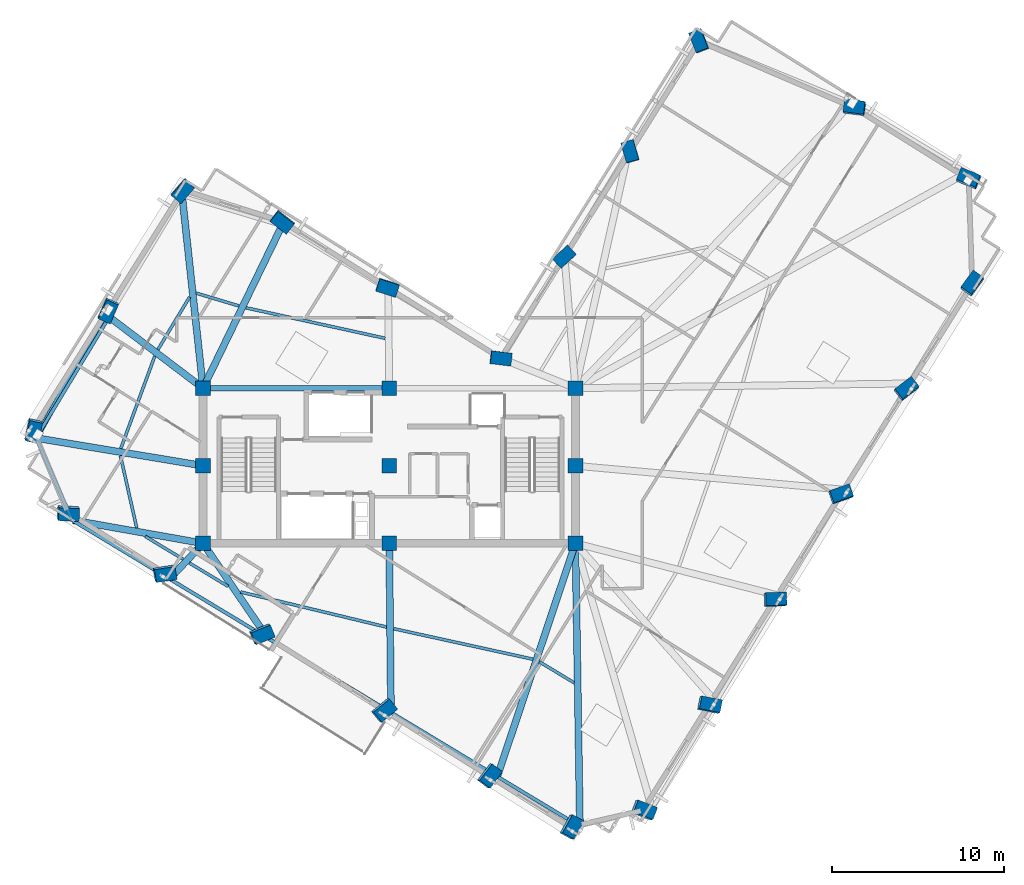
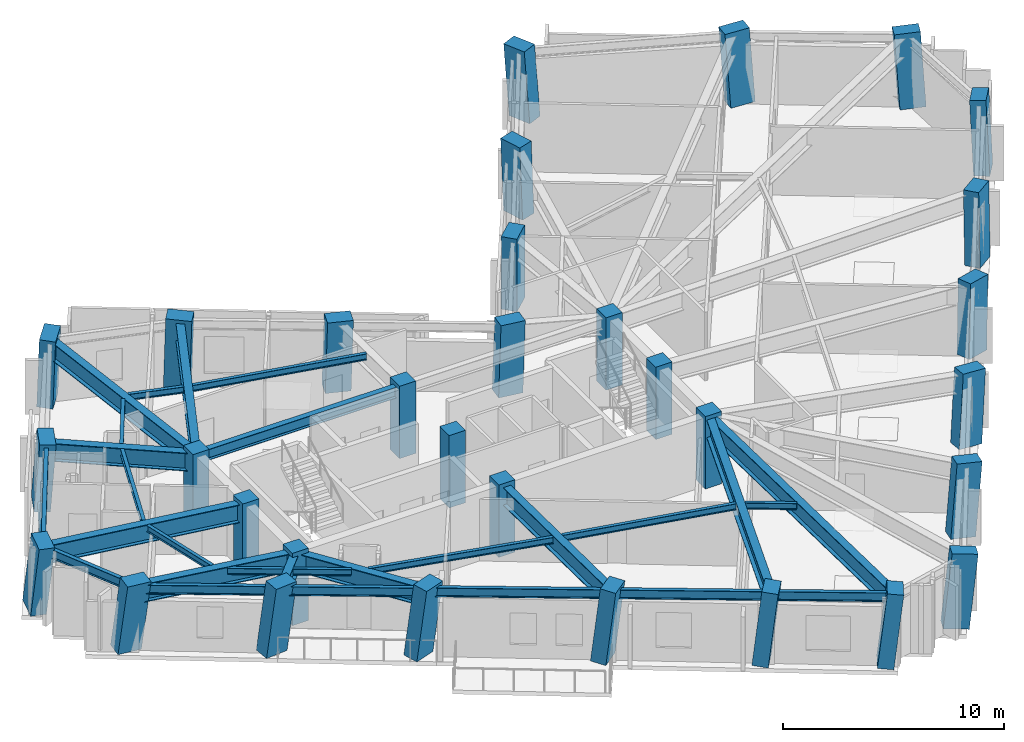
# One storey, part 1 of 12: 32 columns, 28 beams, 1 member.
"""IFC4 building model written with IfcOpenShell, lengths in metres."""

from ifc_helpers import new_model, si_unit, direction, frame, origin, origin_2d, place, context, subcontext, project, spatial, rectangle, hollow_circle, i_section, extrude, material, material_profile, profile_set, type_object, element, save


model = new_model("IFC4")

# Units and contexts
model_context = context("Model", 3, precision=1e-05, world=origin(), true_north=direction((0.0, 1.0)))
body_context = subcontext(model_context, "Body", "Model", "MODEL_VIEW")
ifc_project = project(units=[si_unit("LENGTHUNIT", "METRE"), si_unit("AREAUNIT", "SQUARE_METRE"), si_unit("VOLUMEUNIT", "CUBIC_METRE"), si_unit("PLANEANGLEUNIT", "RADIAN"), si_unit("MASSUNIT", "GRAM", prefix="KILO")], contexts=[model_context])

# Site, building, storey
site_placement = place(None, origin())
site = spatial("IfcSite", under=ifc_project, at=site_placement, CompositionType="ELEMENT")
building_placement = place(site_placement, origin())
building = spatial("IfcBuilding", under=site, at=building_placement, Name="Gaonmaruhae Medical Tower", CompositionType="ELEMENT")
storey_placement = place(building_placement, frame((0.0, 0.0, 272.60009765625)))
storey = spatial("IfcBuildingStorey", under=building, at=storey_placement, Name="L65", CompositionType="ELEMENT", Elevation=272.60009765625)

# Columns
ifc_material_1 = material(Name="Concrete C50/60", Category="concrete")
ifc_material_profile_1 = material_profile(ifc_material_1, rectangle(XDim=0.85009765625, YDim=0.85009765625, at=origin_2d()), Name="RC-850x850")
ifc_profile_set_1 = profile_set([ifc_material_profile_1], Name="Concrete C50/60")
column_type_1 = type_object("IfcColumnType", Name="CC-06 Upper Core Column (RC-850x850)", PredefinedType="COLUMN", material=ifc_profile_set_1)
for number, where, z_axis, x_axis, name in (
    (1, (14.0, 7.800048828125, 0.0), (0.0, 0.0, 1.0), (1.0, 0.0, 0.0), "L65 Plumb Core Column CC11"),
    (2, (14.0, 12.300048828125, 0.0), (0.0, 0.0, 1.0), (1.0, 0.0, 0.0), "L65 Plumb Core Column CC12"),
    (3, (14.0, 16.800048828125, 0.0), (0.0, 0.0, 1.0), (1.0, 0.0, 0.0), "L65 Plumb Core Column CC13"),
    (4, (24.800048828125, 7.800048828125, 0.0), (0.0, 0.0, 1.0), (1.0, 0.0, 0.0), "L65 Plumb Core Column CC21"),
    (5, (24.800048828125, 12.300048828125, 0.0), (0.0, 0.0, 1.0), (1.0, 0.0, 0.0), "L65 Plumb Core Column CC22"),
    (6, (24.800048828125, 16.800048828125, 0.0), (0.0, 0.0, 1.0), (1.0, 0.0, 0.0), "L65 Plumb Core Column CC23"),
    (7, (35.60009765625, 7.800048828125, 0.0), (0.0, 0.0, 1.0), (1.0, 0.0, 0.0), "L65 Plumb Core Column CC31"),
    (8, (35.60009765625, 12.300048828125, 0.0), (0.0, 0.0, 1.0), (1.0, 0.0, 0.0), "L65 Plumb Core Column CC32"),
    (9, (35.60009765625, 16.800048828125, 0.0), (0.0, 0.0, 1.0), (1.0, 0.0, 0.0), "L65 Plumb Core Column CC33"),
):
    element("IfcColumn", number, at=place(storey_placement, frame(where, z_axis=z_axis, x_axis=x_axis)), inside=storey, type_object=column_type_1, Name=name, PredefinedType="COLUMN", context=body_context, shape_type="SweptSolid", body=[
        extrude(rectangle(XDim=0.85009765625, YDim=0.85009765625, at=origin_2d()), origin(), (0.0, 0.0, 1.0), 4.0),
    ])
ifc_material_profile_2 = material_profile(ifc_material_1, rectangle(XDim=1.199951171875, YDim=0.75, at=origin_2d()), Name="RC-1200x750")
ifc_profile_set_2 = profile_set([ifc_material_profile_2], Name="Concrete C50/60")
column_type_2 = type_object("IfcColumnType", Name="TC-03 Upper Raking Tube Pier Column (RC-1200x750)", PredefinedType="COLUMN", material=ifc_profile_set_2)
column_1_placement = place(storey_placement, frame((39.52392578125, -7.685791015625, 0.098388671875), z_axis=(0.133234338674, 0.025369108249, 0.990759819202), x_axis=(-0.924191613183, 0.364218192258, 0.114956385431)))
element("IfcColumn", 10, at=column_1_placement, inside=storey, type_object=column_type_2, Name="L65 Perimeter Tube Column S01", PredefinedType="COLUMN", context=body_context, shape_type="SweptSolid", body=[
    extrude(rectangle(XDim=1.199951171875, YDim=0.75, at=origin_2d()), origin(), (0.0, 0.0, 1.0), 3.93603515625),
])
column_2_placement = place(storey_placement, frame((43.340576171875, -1.58203125, 0.084228515625), z_axis=(0.108305309246, 0.040955268542, 0.99327369137), x_axis=(-0.97515853256, 0.19857987532, 0.098142088287)))
element("IfcColumn", 11, at=column_2_placement, inside=storey, type_object=column_type_2, Name="L65 Perimeter Tube Column S02", PredefinedType="COLUMN", context=body_context, shape_type="SweptSolid", body=[
    extrude(rectangle(XDim=1.199951171875, YDim=0.75, at=origin_2d()), origin(), (0.0, 0.0, 1.0), 3.9404296875),
])
column_3_placement = place(storey_placement, frame((47.158447265625, 4.521240234375, 0.073486328125), z_axis=(0.083183965211, 0.05657004777, 0.994927262481), x_axis=(-0.995728841282, -0.035412464892, 0.085264482463)))
element("IfcColumn", 12, at=column_3_placement, inside=storey, type_object=column_type_2, Name="L65 Perimeter Tube Column S03", PredefinedType="COLUMN", context=body_context, shape_type="SweptSolid", body=[
    extrude(rectangle(XDim=1.199951171875, YDim=0.75, at=origin_2d()), origin(), (0.0, 0.0, 1.0), 3.944580078125),
])
column_4_placement = place(storey_placement, frame((50.976806640625, 10.62451171875, 0.06787109375), z_axis=(0.05795606308, 0.072182204498, 0.995706193667), x_axis=(-0.942163536267, -0.325840094684, 0.078460841345)))
element("IfcColumn", 13, at=column_4_placement, inside=storey, type_object=column_type_2, Name="L65 Perimeter Tube Column S04", PredefinedType="COLUMN", context=body_context, shape_type="SweptSolid", body=[
    extrude(rectangle(XDim=1.199951171875, YDim=0.75, at=origin_2d()), origin(), (0.0, 0.0, 1.0), 3.947021484375),
])
column_5_placement = place(storey_placement, frame((54.7958984375, 16.728271484375, 0.068603515625), z_axis=(0.032599412049, 0.087715306046, 0.995612024545), x_axis=(-0.791394163141, -0.606138977374, 0.079314681199)))
element("IfcColumn", 14, at=column_5_placement, inside=storey, type_object=column_type_2, Name="L65 Perimeter Tube Column S05", PredefinedType="COLUMN", context=body_context, shape_type="SweptSolid", body=[
    extrude(rectangle(XDim=1.199951171875, YDim=0.75, at=origin_2d()), origin(), (0.0, 0.0, 1.0), 3.94677734375),
])
column_6_placement = place(storey_placement, frame((58.614990234375, 22.832763671875, 0.07568359375), z_axis=(0.007305287908, 0.103202669001, 0.994633521394), x_axis=(-0.588860753256, -0.803463214161, 0.087691942418)))
element("IfcColumn", 15, at=column_6_placement, inside=storey, type_object=column_type_2, Name="L65 Perimeter Tube Column S06", PredefinedType="COLUMN", context=body_context, shape_type="SweptSolid", body=[
    extrude(rectangle(XDim=1.199951171875, YDim=0.75, at=origin_2d()), origin(), (0.0, 0.0, 1.0), 3.943603515625),
])
column_7_placement = place(storey_placement, frame((58.4111328125, 28.91650390625, 0.068359375), z_axis=(-0.017734439579, 0.102142956879, 0.994611635772), x_axis=(0.925379569518, -0.375028147347, 0.055014007456)))
element("IfcColumn", 16, at=column_7_placement, inside=storey, type_object=column_type_2, Name="L65 Perimeter Tube Column E01", PredefinedType="COLUMN", context=body_context, shape_type="SweptSolid", body=[
    extrude(rectangle(XDim=1.199951171875, YDim=0.75, at=origin_2d()), origin(), (0.0, 0.0, 1.0), 3.950927734375),
])
column_8_placement = place(storey_placement, frame((51.79931640625, 33.052734375, 0.054931640625), z_axis=(-0.034677853614, 0.074909100156, 0.996587213034), x_axis=(0.991334077794, -0.123846479581, 0.043804060302)))
element("IfcColumn", 17, at=column_8_placement, inside=storey, type_object=column_type_2, Name="L65 Perimeter Tube Column E02", PredefinedType="COLUMN", context=body_context, shape_type="SweptSolid", body=[
    extrude(rectangle(XDim=1.199951171875, YDim=0.75, at=origin_2d()), origin(), (0.0, 0.0, 1.0), 3.95654296875),
])
column_9_placement = place(storey_placement, frame((42.78125, 36.92626953125, 0.046875), z_axis=(-0.050443698511, 0.037555271875, 0.998020558323), x_axis=(0.361618651601, -0.930801106737, 0.053303381798)))
element("IfcColumn", 18, at=column_9_placement, inside=storey, type_object=column_type_2, Name="L65 Perimeter Tube Column E03", PredefinedType="COLUMN", context=body_context, shape_type="SweptSolid", body=[
    extrude(rectangle(XDim=1.199951171875, YDim=0.75, at=origin_2d()), origin(), (0.0, 0.0, 1.0), 3.958984375),
])
column_10_placement = place(storey_placement, frame((38.776611328125, 30.52587890625, 0.025146484375), z_axis=(-0.023892403332, 0.021251340753, 0.999488636043), x_axis=(0.280312393395, -0.959526144156, 0.02710241301)))
element("IfcColumn", 19, at=column_10_placement, inside=storey, type_object=column_type_2, Name="L65 Perimeter Tube Column EN01", PredefinedType="COLUMN", context=body_context, shape_type="SweptSolid", body=[
    extrude(rectangle(XDim=1.199951171875, YDim=0.75, at=origin_2d()), origin(), (0.0, 0.0, 1.0), 3.974853515625),
])
column_11_placement = place(storey_placement, frame((34.95654296875, 24.422607421875, 0.006591796875), z_axis=(0.001529119515, 0.005627159817, 0.999982998288), x_axis=(-0.73434726667, -0.678755967968, 0.004942457075)))
element("IfcColumn", 20, at=column_11_placement, inside=storey, type_object=column_type_2, Name="L65 Perimeter Tube Column EN02", PredefinedType="COLUMN", context=body_context, shape_type="SweptSolid", body=[
    extrude(rectangle(XDim=1.199951171875, YDim=0.75, at=origin_2d()), origin(), (0.0, 0.0, 1.0), 3.991455078125),
])
column_12_placement = place(storey_placement, frame((31.26904296875, 18.53173828125, 0.02099609375), z_axis=(0.026018264162, -0.009450029908, 0.999616800011), x_axis=(-0.992170858703, 0.121939395149, 0.026977232102)))
element("IfcColumn", 21, at=column_12_placement, inside=storey, type_object=column_type_2, Name="L65 Perimeter Tube Column KN01", PredefinedType="COLUMN", context=body_context, shape_type="SweptSolid", body=[
    extrude(rectangle(XDim=1.199951171875, YDim=0.75, at=origin_2d()), origin(), (0.0, 0.0, 1.0), 3.978515625),
])
column_13_placement = place(storey_placement, frame((24.699951171875, 22.6435546875, 0.026611328125), z_axis=(0.009214486038, -0.036796514246, 0.999280295906), x_axis=(-0.951010910613, 0.308501309069, 0.020129336738)))
element("IfcColumn", 22, at=column_13_placement, inside=storey, type_object=column_type_2, Name="L65 Perimeter Tube Column NE01", PredefinedType="COLUMN", context=body_context, shape_type="SweptSolid", body=[
    extrude(rectangle(XDim=1.199951171875, YDim=0.75, at=origin_2d()), origin(), (0.0, 0.0, 1.0), 3.974365234375),
])
column_14_placement = place(storey_placement, frame((18.5966796875, 26.462646484375, 0.042236328125), z_axis=(-0.006344430074, -0.062150776165, 0.998046606742), x_axis=(-0.789418350055, 0.612959701382, 0.0331522711)))
element("IfcColumn", 23, at=column_14_placement, inside=storey, type_object=column_type_2, Name="L65 Perimeter Tube Column NE02", PredefinedType="COLUMN", context=body_context, shape_type="SweptSolid", body=[
    extrude(rectangle(XDim=1.199951171875, YDim=0.75, at=origin_2d()), origin(), (0.0, 0.0, 1.0), 3.963623046875),
])
column_15_placement = place(storey_placement, frame((12.841796875, 28.292724609375, 0.06396484375), z_axis=(-0.013724721487, -0.085810420826, 0.996216946101), x_axis=(0.657356075129, 0.749971848322, 0.073656073858)))
element("IfcColumn", 24, at=column_15_placement, inside=storey, type_object=column_type_2, Name="L65 Perimeter Tube Column N01", PredefinedType="COLUMN", context=body_context, shape_type="SweptSolid", body=[
    extrude(rectangle(XDim=1.199951171875, YDim=0.75, at=origin_2d()), origin(), (0.0, 0.0, 1.0), 3.948974609375),
])
column_16_placement = place(storey_placement, frame((8.492431640625, 21.340087890625, 0.076416015625), z_axis=(0.015107029766, -0.103396474218, 0.994525488246), x_axis=(0.403217157116, 0.910808249086, 0.088567813586)))
element("IfcColumn", 25, at=column_16_placement, inside=storey, type_object=column_type_2, Name="L65 Perimeter Tube Column N02", PredefinedType="COLUMN", context=body_context, shape_type="SweptSolid", body=[
    extrude(rectangle(XDim=1.199951171875, YDim=0.75, at=origin_2d()), origin(), (0.0, 0.0, 1.0), 3.943115234375),
])
column_17_placement = place(storey_placement, frame((4.14404296875, 14.386474609375, 0.09326171875), z_axis=(0.043776072499, -0.120725231098, 0.991720259979), x_axis=(0.212333254316, 0.971116621815, 0.108844365708)))
element("IfcColumn", 26, at=column_17_placement, inside=storey, type_object=column_type_2, Name="L65 Perimeter Tube Column N03", PredefinedType="COLUMN", context=body_context, shape_type="SweptSolid", body=[
    extrude(rectangle(XDim=1.199951171875, YDim=0.75, at=origin_2d()), origin(), (0.0, 0.0, 1.0), 3.9375),
])
column_18_placement = place(storey_placement, frame((6.155517578125, 9.59033203125, 0.08447265625), z_axis=(0.06340833724, -0.112341015051, 0.991644532635), x_axis=(-0.996784461674, 0.041648675863, 0.068455275645)))
element("IfcColumn", 27, at=column_18_placement, inside=storey, type_object=column_type_2, Name="L65 Perimeter Tube Column W01", PredefinedType="COLUMN", context=body_context, shape_type="SweptSolid", body=[
    extrude(rectangle(XDim=1.199951171875, YDim=0.75, at=origin_2d()), origin(), (0.0, 0.0, 1.0), 3.946533203125),
])
column_19_placement = place(storey_placement, frame((11.750244140625, 6.09033203125, 0.07763671875), z_axis=(0.077728278065, -0.08929167345, 0.992967930923), x_axis=(-0.985266808969, -0.159068511941, 0.062821363036)))
element("IfcColumn", 28, at=column_19_placement, inside=storey, type_object=column_type_2, Name="L65 Perimeter Tube Column W02", PredefinedType="COLUMN", context=body_context, shape_type="SweptSolid", body=[
    extrude(rectangle(XDim=1.199951171875, YDim=0.75, at=origin_2d()), origin(), (0.0, 0.0, 1.0), 3.9482421875),
])
column_20_placement = place(storey_placement, frame((17.387451171875, 2.563720703125, 0.074462890625), z_axis=(0.092115832099, -0.066088472828, 0.993552709843), x_axis=(-0.922479746167, -0.381328888244, 0.060161423698)))
element("IfcColumn", 29, at=column_20_placement, inside=storey, type_object=column_type_2, Name="L65 Perimeter Tube Column W03", PredefinedType="COLUMN", context=body_context, shape_type="SweptSolid", body=[
    extrude(rectangle(XDim=1.199951171875, YDim=0.75, at=origin_2d()), origin(), (0.0, 0.0, 1.0), 3.948974609375),
])
column_21_placement = place(storey_placement, frame((24.46630859375, -1.865234375, 0.076171875), z_axis=(0.110119500049, -0.036727110067, 0.993239555744), x_axis=(-0.76816142284, -0.637285986384, 0.061600324836)))
element("IfcColumn", 30, at=column_21_placement, inside=storey, type_object=column_type_2, Name="L65 Perimeter Tube Column W04", PredefinedType="COLUMN", context=body_context, shape_type="SweptSolid", body=[
    extrude(rectangle(XDim=1.199951171875, YDim=0.75, at=origin_2d()), origin(), (0.0, 0.0, 1.0), 3.948486328125),
])
column_22_placement = place(storey_placement, frame((30.571044921875, -5.68408203125, 0.08251953125), z_axis=(0.125442496988, -0.01144322581, 0.992034894816), x_axis=(-0.601255019901, -0.79625644959, 0.066843605012)))
element("IfcColumn", 31, at=column_22_placement, inside=storey, type_object=column_type_2, Name="L65 Perimeter Tube Column W05", PredefinedType="COLUMN", context=body_context, shape_type="SweptSolid", body=[
    extrude(rectangle(XDim=1.199951171875, YDim=0.75, at=origin_2d()), origin(), (0.0, 0.0, 1.0), 3.947021484375),
])
column_23_placement = place(storey_placement, frame((35.319580078125, -8.654052734375, 0.08984375), z_axis=(0.13730079609, 0.0081056351, 0.990496234255), x_axis=(-0.474751570912, -0.877088294596, 0.072986775515)))
element("IfcColumn", 32, at=column_23_placement, inside=storey, type_object=column_type_2, Name="L65 Perimeter Tube Column W06", PredefinedType="COLUMN", context=body_context, shape_type="SweptSolid", body=[
    extrude(rectangle(XDim=1.199951171875, YDim=0.75, at=origin_2d()), origin(), (0.0, 0.0, 1.0), 3.94580078125),
])

# Beams
ifc_material_2 = material(Name="Steel SM420", Category="steel")
ifc_material_profile_3 = material_profile(ifc_material_2, i_section(OverallWidth=0.39990234375, OverallDepth=1.0, WebThickness=0.02197265625, FlangeThickness=0.035888671875, at=origin_2d()), Name="BH-1000x400x22x36")
ifc_profile_set_3 = profile_set([ifc_material_profile_3], Name="Steel SM420")
beam_type_1 = type_object("IfcBeamType", Name="BG-02 Refuge Floor Primary Girder (BH-1000x400x22x36)", PredefinedType="BEAM", material=ifc_profile_set_3)
beam_1_placement = place(storey_placement, frame((14.021728515625, 16.844970703125, 3.27978515625), z_axis=(0.436736826854, 0.899589319673, 0.0), x_axis=(-0.899589319673, 0.436736826854, 0.0)))
element("IfcBeam", 33, at=beam_1_placement, inside=storey, type_object=beam_type_1, Name="L65 Radial Primary Girder NE02", PredefinedType="BEAM", context=body_context, shape_type="SweptSolid", body=[
    extrude(i_section(OverallWidth=0.39990234375, OverallDepth=1.0, WebThickness=0.02197265625, FlangeThickness=0.035888671875, at=origin_2d()), origin(), (0.0, 0.0, 1.0), 10.367431640625),
])
beam_2_placement = place(storey_placement, frame((13.99462890625, 16.849609375, 3.27978515625), z_axis=(-0.108069559048, 0.994143334941, 0.0), x_axis=(-0.994143334941, -0.108069559048, 0.0)))
element("IfcBeam", 34, at=beam_2_placement, inside=storey, type_object=beam_type_1, Name="L65 Radial Primary Girder N01", PredefinedType="BEAM", context=body_context, shape_type="SweptSolid", body=[
    extrude(i_section(OverallWidth=0.39990234375, OverallDepth=1.0, WebThickness=0.02197265625, FlangeThickness=0.035888671875, at=origin_2d()), origin(), (0.0, 0.0, 1.0), 11.119384765625),
])
beam_3_placement = place(storey_placement, frame((13.960205078125, 16.830322265625, 3.27978515625), z_axis=(-0.796749022864, 0.604310346234, 0.0), x_axis=(-0.604310346234, -0.796749022864, 0.0)))
element("IfcBeam", 35, at=beam_3_placement, inside=storey, type_object=beam_type_1, Name="L65 Radial Primary Girder N02", PredefinedType="BEAM", context=body_context, shape_type="SweptSolid", body=[
    extrude(i_section(OverallWidth=0.39990234375, OverallDepth=1.0, WebThickness=0.02197265625, FlangeThickness=0.035888671875, at=origin_2d()), origin(), (0.0, 0.0, 1.0), 6.73779296875),
])
beam_4_placement = place(storey_placement, frame((13.95068359375, 12.30810546875, 3.27978515625), z_axis=(-0.986444129617, 0.164097468429, 0.0), x_axis=(-0.164097468429, -0.986444129617, 0.0)))
element("IfcBeam", 36, at=beam_4_placement, inside=storey, type_object=beam_type_1, Name="L65 Radial Primary Girder N03", PredefinedType="BEAM", context=body_context, shape_type="SweptSolid", body=[
    extrude(i_section(OverallWidth=0.39990234375, OverallDepth=1.0, WebThickness=0.02197265625, FlangeThickness=0.035888671875, at=origin_2d()), origin(), (0.0, 0.0, 1.0), 9.716796875),
])
beam_5_placement = place(storey_placement, frame((13.95068359375, 7.808837890625, 3.27978515625), z_axis=(-0.984640522093, 0.174593935323, 0.0), x_axis=(-0.174593935323, -0.984640522093, 0.0)))
element("IfcBeam", 37, at=beam_5_placement, inside=storey, type_object=beam_type_1, Name="L65 Radial Primary Girder W01", PredefinedType="BEAM", context=body_context, shape_type="SweptSolid", body=[
    extrude(i_section(OverallWidth=0.39990234375, OverallDepth=1.0, WebThickness=0.02197265625, FlangeThickness=0.035888671875, at=origin_2d()), origin(), (0.0, 0.0, 1.0), 7.612548828125),
])
beam_6_placement = place(storey_placement, frame((13.9658203125, 7.763671875, 3.260009765625), z_axis=(-0.685712888328, -0.727872128043, 0.0), x_axis=(0.727872128043, -0.685712888328, 0.0)))
element("IfcBeam", 38, at=beam_6_placement, inside=storey, type_object=beam_type_1, Name="L65 Radial Primary Girder W02", PredefinedType="BEAM", context=body_context, shape_type="SweptSolid", body=[
    extrude(i_section(OverallWidth=0.39990234375, OverallDepth=1.0, WebThickness=0.02197265625, FlangeThickness=0.035888671875, at=origin_2d()), origin(), (0.0, 0.0, 1.0), 2.7333984375),
])
beam_7_placement = place(storey_placement, frame((14.028076171875, 7.7587890625, 3.260009765625), z_axis=(0.563666132276, -0.826002718715, 0.0), x_axis=(0.826002718715, 0.563666132276, 0.0)))
element("IfcBeam", 39, at=beam_7_placement, inside=storey, type_object=beam_type_1, Name="L65 Radial Primary Girder W03", PredefinedType="BEAM", context=body_context, shape_type="SweptSolid", body=[
    extrude(i_section(OverallWidth=0.39990234375, OverallDepth=1.0, WebThickness=0.02197265625, FlangeThickness=0.035888671875, at=origin_2d()), origin(), (0.0, 0.0, 1.0), 6.555419921875),
])
beam_8_placement = place(storey_placement, frame((24.800537109375, 7.75, 3.27978515625), z_axis=(0.010307693932, -0.999946874312, 0.0), x_axis=(0.999946874312, 0.010307693932, 0.0)))
element("IfcBeam", 40, at=beam_8_placement, inside=storey, type_object=beam_type_1, Name="L65 Radial Primary Girder W04", PredefinedType="BEAM", context=body_context, shape_type="SweptSolid", body=[
    extrude(i_section(OverallWidth=0.39990234375, OverallDepth=1.0, WebThickness=0.02197265625, FlangeThickness=0.035888671875, at=origin_2d()), origin(), (0.0, 0.0, 1.0), 9.7109375),
])
beam_9_placement = place(storey_placement, frame((35.584228515625, 7.752685546875, 3.27978515625), z_axis=(-0.317736787801, -0.948178956568, 0.0), x_axis=(0.948178956568, -0.317736787801, 0.0)))
element("IfcBeam", 41, at=beam_9_placement, inside=storey, type_object=beam_type_1, Name="L65 Radial Primary Girder W05", PredefinedType="BEAM", context=body_context, shape_type="SweptSolid", body=[
    extrude(i_section(OverallWidth=0.39990234375, OverallDepth=1.0, WebThickness=0.02197265625, FlangeThickness=0.035888671875, at=origin_2d()), origin(), (0.0, 0.0, 1.0), 14.168701171875),
])
beam_10_placement = place(storey_placement, frame((35.600830078125, 7.75, 3.27978515625), z_axis=(0.015913024846, -0.999873379804, 0.0), x_axis=(0.999873379804, 0.015913024846, 0.0)))
element("IfcBeam", 42, at=beam_10_placement, inside=storey, type_object=beam_type_1, Name="L65 Radial Primary Girder W06", PredefinedType="BEAM", context=body_context, shape_type="SweptSolid", body=[
    extrude(i_section(OverallWidth=0.39990234375, OverallDepth=1.0, WebThickness=0.02197265625, FlangeThickness=0.035888671875, at=origin_2d()), origin(), (0.0, 0.0, 1.0), 16.323974609375),
])
ifc_material_3 = material(Name="Steel SM355", Category="steel")
ifc_material_profile_4 = material_profile(ifc_material_3, i_section(OverallWidth=0.175048828125, OverallDepth=0.35009765625, WebThickness=0.007080078125, FlangeThickness=0.010986328125, FilletRadius=0.012939453125, at=origin_2d()), Name="H-350x175x7x11")
ifc_profile_set_4 = profile_set([ifc_material_profile_4], Name="Steel SM355")
beam_type_2 = type_object("IfcBeamType", Name="FJ-02 Upper Zone Ward Floor Joist (H-350x175x7x11)", PredefinedType="JOIST", material=ifc_profile_set_4)
beam_11_placement = place(storey_placement, frame((24.56201171875, 19.69384765625, 3.60498046875), z_axis=(-0.976803327578, 0.214138411389, 0.0), x_axis=(-0.214138411389, -0.976803327578, 0.0)))
element("IfcBeam", 43, at=beam_11_placement, inside=storey, type_object=beam_type_2, Name="L65 Secondary Floor Joist FJ11", PredefinedType="JOIST", context=body_context, shape_type="SweptSolid", body=[
    extrude(i_section(OverallWidth=0.175048828125, OverallDepth=0.35009765625, WebThickness=0.007080078125, FlangeThickness=0.010986328125, FilletRadius=0.012939453125, at=origin_2d()), origin(), (0.0, 0.0, 1.0), 8.26123046875),
])
beam_12_placement = place(storey_placement, frame((16.0859375, 21.568115234375, 3.60498046875), z_axis=(-0.95771196622, 0.287728673855, 0.0), x_axis=(-0.287728673855, -0.95771196622, 0.0)))
element("IfcBeam", 44, at=beam_12_placement, inside=storey, type_object=beam_type_2, Name="L65 Secondary Floor Joist FJ12", PredefinedType="JOIST", context=body_context, shape_type="SweptSolid", body=[
    extrude(i_section(OverallWidth=0.175048828125, OverallDepth=0.35009765625, WebThickness=0.007080078125, FlangeThickness=0.010986328125, FilletRadius=0.012939453125, at=origin_2d()), origin(), (0.0, 0.0, 1.0), 2.587890625),
])
beam_13_placement = place(storey_placement, frame((13.22021484375, 22.089111328125, 3.60498046875), z_axis=(-0.516513141905, -0.856279261829, 0.0), x_axis=(0.856279261829, -0.516513141905, 0.0)))
element("IfcBeam", 45, at=beam_13_placement, inside=storey, type_object=beam_type_2, Name="L65 Secondary Floor Joist FJ13", PredefinedType="JOIST", context=body_context, shape_type="SweptSolid", body=[
    extrude(i_section(OverallWidth=0.175048828125, OverallDepth=0.35009765625, WebThickness=0.007080078125, FlangeThickness=0.010986328125, FilletRadius=0.012939453125, at=origin_2d()), origin(), (0.0, 0.0, 1.0), 3.556884765625),
])
beam_14_placement = place(storey_placement, frame((11.20166015625, 18.664306640625, 3.60498046875), z_axis=(-0.345041838664, -0.938587305247, 0.0), x_axis=(0.938587305247, -0.345041838664, 0.0)))
element("IfcBeam", 46, at=beam_14_placement, inside=storey, type_object=beam_type_2, Name="L65 Secondary Floor Joist FJ14", PredefinedType="JOIST", context=body_context, shape_type="SweptSolid", body=[
    extrude(i_section(OverallWidth=0.175048828125, OverallDepth=0.35009765625, WebThickness=0.007080078125, FlangeThickness=0.010986328125, FilletRadius=0.012939453125, at=origin_2d()), origin(), (0.0, 0.0, 1.0), 5.712890625),
])
beam_15_placement = place(storey_placement, frame((9.20703125, 12.888916015625, 3.60498046875), z_axis=(0.2200048979, -0.975498767247, 0.0), x_axis=(0.975498767247, 0.2200048979, 0.0)))
element("IfcBeam", 47, at=beam_15_placement, inside=storey, type_object=beam_type_2, Name="L65 Secondary Floor Joist FJ15", PredefinedType="JOIST", context=body_context, shape_type="SweptSolid", body=[
    extrude(i_section(OverallWidth=0.175048828125, OverallDepth=0.35009765625, WebThickness=0.007080078125, FlangeThickness=0.010986328125, FilletRadius=0.012939453125, at=origin_2d()), origin(), (0.0, 0.0, 1.0), 4.303466796875),
])
beam_16_placement = place(storey_placement, frame((10.65869140625, 8.198486328125, 3.5849609375), z_axis=(0.856285946707, -0.516502059504, 0.0), x_axis=(0.516502059504, 0.856285946707, 0.0)))
element("IfcBeam", 48, at=beam_16_placement, inside=storey, type_object=beam_type_2, Name="L65 Secondary Floor Joist FJ16", PredefinedType="JOIST", context=body_context, shape_type="SweptSolid", body=[
    extrude(i_section(OverallWidth=0.175048828125, OverallDepth=0.35009765625, WebThickness=0.007080078125, FlangeThickness=0.010986328125, FilletRadius=0.012939453125, at=origin_2d()), origin(), (0.0, 0.0, 1.0), 2.55712890625),
])
beam_17_placement = place(storey_placement, frame((13.208984375, 6.66015625, 3.5849609375), z_axis=(0.856244344446, -0.516571023776, 0.0), x_axis=(0.516571023776, 0.856244344446, 0.0)))
element("IfcBeam", 49, at=beam_17_placement, inside=storey, type_object=beam_type_2, Name="L65 Secondary Floor Joist FJ17", PredefinedType="JOIST", context=body_context, shape_type="SweptSolid", body=[
    extrude(i_section(OverallWidth=0.175048828125, OverallDepth=0.35009765625, WebThickness=0.007080078125, FlangeThickness=0.010986328125, FilletRadius=0.012939453125, at=origin_2d()), origin(), (0.0, 0.0, 1.0), 2.627685546875),
])
beam_18_placement = place(storey_placement, frame((16.171142578125, 4.98046875, 3.5849609375), z_axis=(0.972320125285, -0.233652678064, 0.0), x_axis=(0.233652678064, 0.972320125285, 0.0)))
element("IfcBeam", 50, at=beam_18_placement, inside=storey, type_object=beam_type_2, Name="L65 Secondary Floor Joist FJ18", PredefinedType="JOIST", context=body_context, shape_type="SweptSolid", body=[
    extrude(i_section(OverallWidth=0.175048828125, OverallDepth=0.35009765625, WebThickness=0.007080078125, FlangeThickness=0.010986328125, FilletRadius=0.012939453125, at=origin_2d()), origin(), (0.0, 0.0, 1.0), 8.71435546875),
])
beam_19_placement = place(storey_placement, frame((25.056884765625, 2.849609375, 3.60498046875), z_axis=(0.976802994116, -0.214139932489, 0.0), x_axis=(0.214139932489, 0.976802994116, 0.0)))
element("IfcBeam", 51, at=beam_19_placement, inside=storey, type_object=beam_type_2, Name="L65 Secondary Floor Joist FJ19", PredefinedType="JOIST", context=body_context, shape_type="SweptSolid", body=[
    extrude(i_section(OverallWidth=0.175048828125, OverallDepth=0.35009765625, WebThickness=0.007080078125, FlangeThickness=0.010986328125, FilletRadius=0.012939453125, at=origin_2d()), origin(), (0.0, 0.0, 1.0), 8.265625),
])
beam_20_placement = place(storey_placement, frame((33.513671875, 0.92626953125, 3.60498046875), z_axis=(0.856288387967, -0.516498012225, 0.0), x_axis=(0.516498012225, 0.856288387967, 0.0)))
element("IfcBeam", 52, at=beam_20_placement, inside=storey, type_object=beam_type_2, Name="L65 Secondary Floor Joist FJ20", PredefinedType="JOIST", context=body_context, shape_type="SweptSolid", body=[
    extrude(i_section(OverallWidth=0.175048828125, OverallDepth=0.35009765625, WebThickness=0.007080078125, FlangeThickness=0.010986328125, FilletRadius=0.012939453125, at=origin_2d()), origin(), (0.0, 0.0, 1.0), 2.347412109375),
])

# Member
ifc_material_profile_5 = material_profile(ifc_material_3, hollow_circle(Radius=0.1591796875, WallThickness=0.01025390625, at=origin_2d()), Name="CHS-318.5x10.3")
ifc_profile_set_5 = profile_set([ifc_material_profile_5], Name="Steel SM355")
member_type = type_object("IfcMemberType", Name="PB-03 Perimeter Solid-Bay Tube Brace Upper (CHS-318.5x10.3)", PredefinedType="BRACE", material=ifc_profile_set_5)
member_placement = place(storey_placement, frame((8.4912109375, 21.34814453125, 0.25), z_axis=(-0.45686087364, -0.813906625917, 0.358934738392), x_axis=(0.872015414267, -0.489478413498, 0.0)))
element("IfcMember", 53, at=member_placement, inside=storey, type_object=member_type, Name="L65 Perimeter Tube Solid-Bay Brace N02-N03", PredefinedType="BRACE", context=body_context, shape_type="SweptSolid", body=[
    extrude(hollow_circle(Radius=0.1591796875, WallThickness=0.01025390625, at=origin_2d()), origin(), (0.0, 0.0, 1.0), 8.91796875),
])

# Beams
ifc_material_profile_6 = material_profile(ifc_material_2, i_section(OverallWidth=0.300048828125, OverallDepth=0.60009765625, WebThickness=0.011962890625, FlangeThickness=0.02001953125, FilletRadius=0.012939453125, at=origin_2d()), Name="H-600x300x12x20")
ifc_profile_set_6 = profile_set([ifc_material_profile_6], Name="Steel SM420")
beam_type_3 = type_object("IfcBeamType", Name="PG-04 Zone 4 Radial Floor Girder (H-600x300x12x20)", PredefinedType="BEAM", material=ifc_profile_set_6)
beam_21_placement = place(storey_placement, frame((14.050048828125, 16.800048828125, 3.47998046875), z_axis=(1.0, 0.0, 0.0), x_axis=(0.0, 1.0, 0.0)))
element("IfcBeam", 54, at=beam_21_placement, inside=storey, type_object=beam_type_3, Name="L65 Beam BM-L65-CG-N1", PredefinedType="BEAM", context=body_context, shape_type="SweptSolid", body=[
    extrude(i_section(OverallWidth=0.300048828125, OverallDepth=0.60009765625, WebThickness=0.011962890625, FlangeThickness=0.02001953125, FilletRadius=0.012939453125, at=origin_2d()), origin(), (0.0, 0.0, 1.0), 10.699951171875),
])
ifc_material_profile_7 = material_profile(ifc_material_3, i_section(OverallWidth=0.199951171875, OverallDepth=0.5, WebThickness=0.010009765625, FlangeThickness=0.01611328125, FilletRadius=0.012939453125, at=origin_2d()), Name="H-500x200x10x16")
ifc_profile_set_7 = profile_set([ifc_material_profile_7], Name="Steel SM355")
beam_type_4 = type_object("IfcBeamType", Name="SP-02 Upper Perimeter Spandrel Beam (H-500x200x10x16)", PredefinedType="SPANDREL", material=ifc_profile_set_7)
beam_22_placement = place(storey_placement, frame((8.53125, 20.89794921875, 3.52978515625), z_axis=(-0.51654146013, -0.856262179456, 0.0), x_axis=(0.856262179456, -0.51654146013, 0.0)))
element("IfcBeam", 55, at=beam_22_placement, inside=storey, type_object=beam_type_4, Name="L65 Perimeter Spandrel Beam N02-N03", PredefinedType="SPANDREL", context=body_context, shape_type="SweptSolid", body=[
    extrude(i_section(OverallWidth=0.199951171875, OverallDepth=0.5, WebThickness=0.010009765625, FlangeThickness=0.01611328125, FilletRadius=0.012939453125, at=origin_2d()), origin(), (0.0, 0.0, 1.0), 8.1201171875),
])
beam_23_placement = place(storey_placement, frame((4.33251953125, 13.874267578125, 3.52978515625), z_axis=(0.401653780944, -0.915791592151, 0.0), x_axis=(0.915791592151, 0.401653780944, 0.0)))
element("IfcBeam", 56, at=beam_23_placement, inside=storey, type_object=beam_type_4, Name="L65 Perimeter Spandrel Beam N03-W01", PredefinedType="SPANDREL", context=body_context, shape_type="SweptSolid", body=[
    extrude(i_section(OverallWidth=0.199951171875, OverallDepth=0.5, WebThickness=0.010009765625, FlangeThickness=0.01611328125, FilletRadius=0.012939453125, at=origin_2d()), origin(), (0.0, 0.0, 1.0), 5.122314453125),
])
beam_24_placement = place(storey_placement, frame((6.440185546875, 9.126220703125, 3.510009765625), z_axis=(0.856254767616, -0.516553746415, 0.0), x_axis=(0.516553746415, 0.856254767616, 0.0)))
element("IfcBeam", 57, at=beam_24_placement, inside=storey, type_object=beam_type_4, Name="L65 Perimeter Spandrel Beam W01-W02", PredefinedType="SPANDREL", context=body_context, shape_type="SweptSolid", body=[
    extrude(i_section(OverallWidth=0.199951171875, OverallDepth=0.5, WebThickness=0.010009765625, FlangeThickness=0.01611328125, FilletRadius=0.012939453125, at=origin_2d()), origin(), (0.0, 0.0, 1.0), 6.52001953125),
])
beam_25_placement = place(storey_placement, frame((12.091552734375, 5.717041015625, 3.510009765625), z_axis=(0.856274090844, -0.516521714305, 0.0), x_axis=(0.516521714305, 0.856274090844, 0.0)))
element("IfcBeam", 58, at=beam_25_placement, inside=storey, type_object=beam_type_4, Name="L65 Perimeter Spandrel Beam W02-W03", PredefinedType="SPANDREL", context=body_context, shape_type="SweptSolid", body=[
    extrude(i_section(OverallWidth=0.199951171875, OverallDepth=0.5, WebThickness=0.010009765625, FlangeThickness=0.01611328125, FilletRadius=0.012939453125, at=origin_2d()), origin(), (0.0, 0.0, 1.0), 6.570068359375),
])
beam_26_placement = place(storey_placement, frame((17.78564453125, 2.281982421875, 3.52978515625), z_axis=(0.856266231043, -0.516534743822, 0.0), x_axis=(0.516534743822, 0.856266231043, 0.0)))
element("IfcBeam", 59, at=beam_26_placement, inside=storey, type_object=beam_type_4, Name="L65 Perimeter Spandrel Beam W03-W04", PredefinedType="SPANDREL", context=body_context, shape_type="SweptSolid", body=[
    extrude(i_section(OverallWidth=0.199951171875, OverallDepth=0.5, WebThickness=0.010009765625, FlangeThickness=0.01611328125, FilletRadius=0.012939453125, at=origin_2d()), origin(), (0.0, 0.0, 1.0), 8.27001953125),
])
beam_27_placement = place(storey_placement, frame((24.935546875, -2.031005859375, 3.52978515625), z_axis=(0.856268199112, -0.516531481316, 0.0), x_axis=(0.516531481316, 0.856268199112, 0.0)))
element("IfcBeam", 60, at=beam_27_placement, inside=storey, type_object=beam_type_4, Name="L65 Perimeter Spandrel Beam W04-W05", PredefinedType="SPANDREL", context=body_context, shape_type="SweptSolid", body=[
    extrude(i_section(OverallWidth=0.199951171875, OverallDepth=0.5, WebThickness=0.010009765625, FlangeThickness=0.01611328125, FilletRadius=0.012939453125, at=origin_2d()), origin(), (0.0, 0.0, 1.0), 7.1201171875),
])
beam_28_placement = place(storey_placement, frame((31.1005859375, -5.75, 3.52978515625), z_axis=(0.856261189644, -0.516543100922, 0.0), x_axis=(0.516543100922, 0.856261189644, 0.0)))
element("IfcBeam", 61, at=beam_28_placement, inside=storey, type_object=beam_type_4, Name="L65 Perimeter Spandrel Beam W05-W06", PredefinedType="SPANDREL", context=body_context, shape_type="SweptSolid", body=[
    extrude(i_section(OverallWidth=0.199951171875, OverallDepth=0.5, WebThickness=0.010009765625, FlangeThickness=0.01611328125, FilletRadius=0.012939453125, at=origin_2d()), origin(), (0.0, 0.0, 1.0), 5.52001953125),
])

save(model, "model.ifc")
